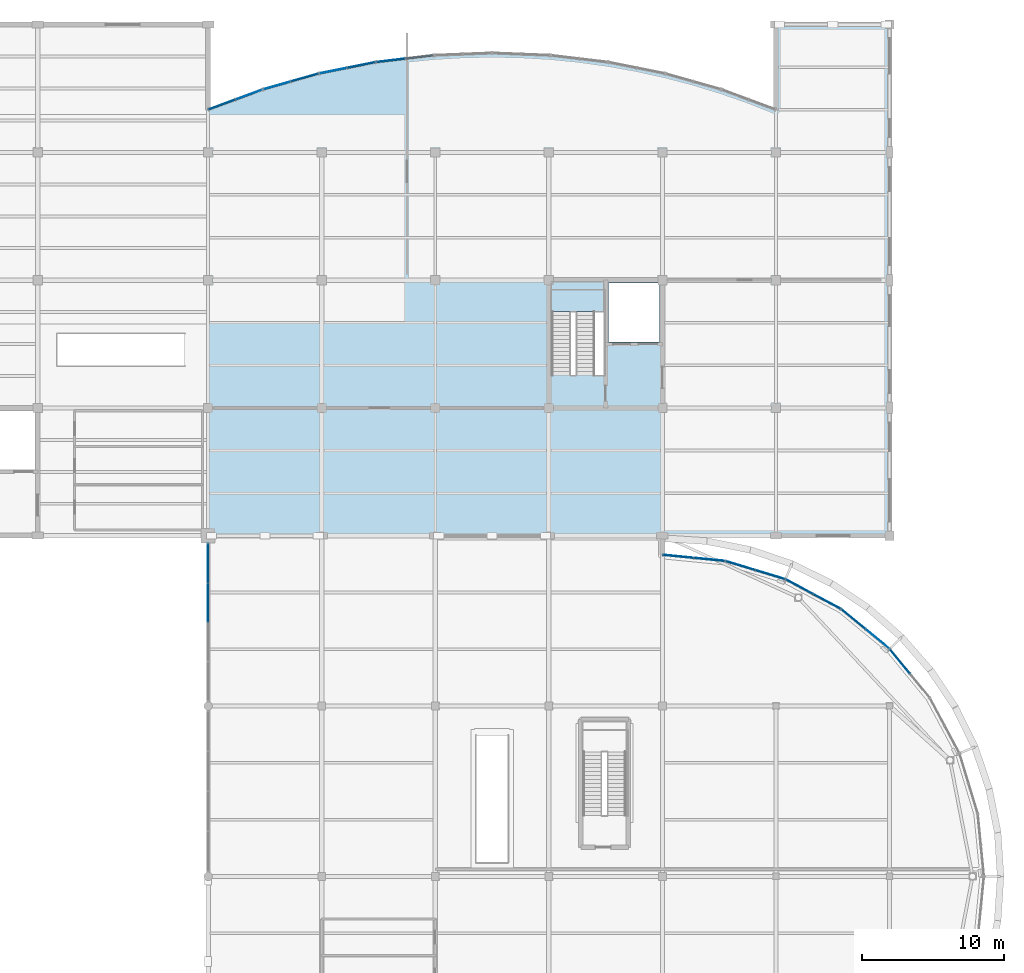
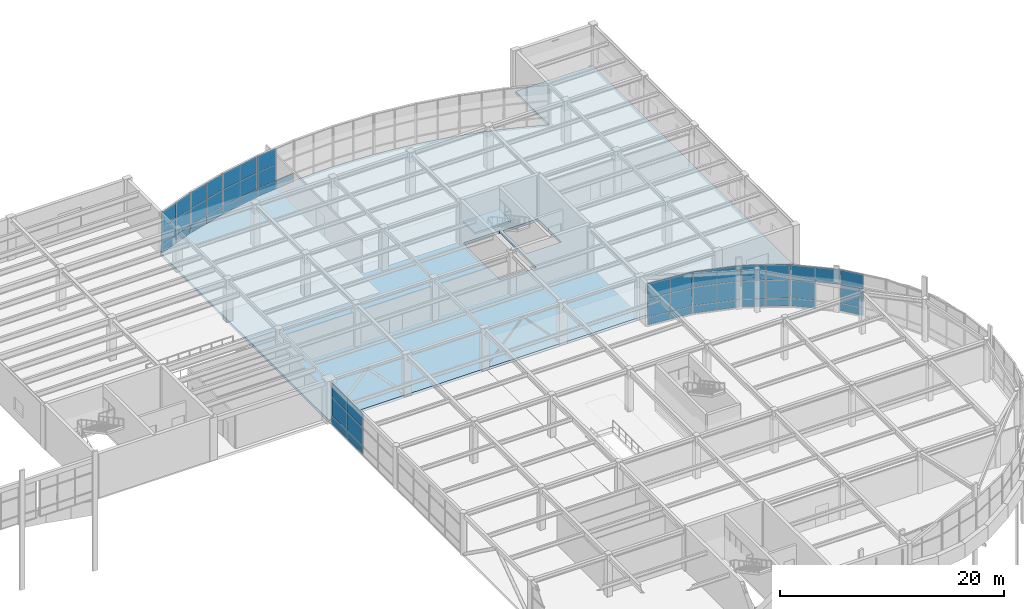
# One storey, part 40 of 63: 53 plates, 2 slabs, 11 elements without a shape of their own.
"""IFC4 building model written with IfcOpenShell, lengths in metres."""

from ifc_helpers import new_model, si_unit, direction, frame, origin, origin_2d, place, context, subcontext, project, spatial, polyline, rectangle, outline, extrude, material, layer, layer_set, type_object, element, aggregate, save


model = new_model("IFC4")

# Units and contexts
model_context = context("Model", 3, precision=1e-05, world=origin(), true_north=direction((0.0, 1.0)))
body_context = subcontext(model_context, "Body", "Model", "MODEL_VIEW")
ifc_project = project(units=[si_unit("LENGTHUNIT", "METRE"), si_unit("AREAUNIT", "SQUARE_METRE"), si_unit("VOLUMEUNIT", "CUBIC_METRE"), si_unit("PLANEANGLEUNIT", "RADIAN"), si_unit("MASSUNIT", "GRAM", prefix="KILO")], contexts=[model_context])

# Site, building, storey
site_placement = place(None, origin())
site = spatial("IfcSite", under=ifc_project, at=site_placement, CompositionType="ELEMENT")
building_placement = place(site_placement, origin())
building = spatial("IfcBuilding", under=site, at=building_placement, Name="Keelwater Ferry Terminal", CompositionType="ELEMENT")
storey_placement = place(building_placement, frame((0.0, 0.0, 10.199951171875)))
storey = spatial("IfcBuildingStorey", under=building, at=storey_placement, Name="L02", CompositionType="ELEMENT", Elevation=10.199951171875)

# Curtain wall, plates
ifc_material_1 = material(Name="Thermally broken unitised aluminium and triple glass", Category="aluminium")
ifc_layer_1 = layer(ifc_material_1, 0.179931640625)
ifc_layer_set_1 = layer_set([ifc_layer_1], Name="Thermally broken unitised aluminium and triple glass")
curtain_wall_type_1 = type_object("IfcCurtainWallType", Name="CW-14 Unitised Curtain Wall 11050x4450", PredefinedType="USERDEFINED", material=ifc_layer_set_1)
curtain_wall_1_placement = place(storey_placement, origin())
curtain_wall_1 = element("IfcCurtainWall", 1, at=curtain_wall_1_placement, inside=storey, type_object=curtain_wall_type_1, Name="Unitised Curtain Wall CW-L02-076", ObjectType="UNITISED CURTAIN WALL", PredefinedType="USERDEFINED")
ifc_material_2 = material(Name="Insulated white cassette spandrel", Category="aluminium")
ifc_layer_2 = layer(ifc_material_2, 0.094970703125)
ifc_layer_set_2 = layer_set([ifc_layer_2], Name="Insulated white cassette spandrel")
plate_type_1 = type_object("IfcPlateType", Name="CWP-S2 Insulated Spandrel Panel 95", PredefinedType="CURTAIN_PANEL", material=ifc_layer_set_2)
plate_1_placement = place(storey_placement, frame((132.0, 85.28125, 0.0), z_axis=(0.0, 0.0, 1.0), x_axis=(0.0, 1.0, 0.0)))
plate_1 = element("IfcPlate", 2, at=plate_1_placement, type_object=plate_type_1, Name="CW-L02-076 Panel 3.1", PredefinedType="CURTAIN_PANEL", context=body_context, shape_type="SweptSolid", body=[
    extrude(rectangle(XDim=2.762451171875, YDim=0.094970703125, at=origin_2d()), origin(), (0.0, 0.0, 1.0), 0.89990234375),
])
plate_2_placement = place(storey_placement, frame((132.0, 88.043701171875, 0.0), z_axis=(0.0, 0.0, 1.0), x_axis=(0.0, 1.0, 0.0)))
plate_2 = element("IfcPlate", 3, at=plate_2_placement, type_object=plate_type_1, Name="CW-L02-076 Panel 4.1", PredefinedType="CURTAIN_PANEL", context=body_context, shape_type="SweptSolid", body=[
    extrude(rectangle(XDim=2.762451171875, YDim=0.094970703125, at=origin_2d()), origin(), (0.0, 0.0, 1.0), 0.89990234375),
])

# Curtain wall, plate
ifc_material_3 = material(Name="Thermally broken unitised aluminium and triple glass", Category="aluminium")
ifc_layer_3 = layer(ifc_material_3, 0.179931640625)
ifc_layer_set_3 = layer_set([ifc_layer_3], Name="Thermally broken unitised aluminium and triple glass")
curtain_wall_type_2 = type_object("IfcCurtainWallType", Name="CW-19 Unitised Curtain Wall 4350x4480", PredefinedType="USERDEFINED", material=ifc_layer_set_3)
curtain_wall_2_placement = place(storey_placement, origin())
curtain_wall_2 = element("IfcCurtainWall", 4, at=curtain_wall_2_placement, inside=storey, type_object=curtain_wall_type_2, Name="Unitised Curtain Wall CW-L02-168", ObjectType="UNITISED CURTAIN WALL", PredefinedType="USERDEFINED")
plate_3_placement = place(storey_placement, frame((180.73486328125, 81.140380859375, 0.0), z_axis=(0.0, 0.0, 1.0), x_axis=(-0.634376508991, 0.773024220086, 0.0)))
plate_3 = element("IfcPlate", 5, at=plate_3_placement, type_object=plate_type_1, Name="CW-L02-168 Panel 2.1", PredefinedType="CURTAIN_PANEL", context=body_context, shape_type="SweptSolid", body=[
    extrude(rectangle(XDim=2.174560546875, YDim=0.094970703125, at=origin_2d()), origin(), (0.0, 0.0, 1.0), 0.85009765625),
])

curtain_wall_3_placement = place(storey_placement, origin())
curtain_wall_3 = element("IfcCurtainWall", 6, at=curtain_wall_3_placement, inside=storey, type_object=curtain_wall_type_2, Name="Unitised Curtain Wall CW-L02-169", ObjectType="UNITISED CURTAIN WALL", PredefinedType="USERDEFINED")
plate_4_placement = place(storey_placement, frame((177.45947265625, 84.1142578125, 0.0), z_axis=(0.0, 0.0, 1.0), x_axis=(-0.773024220086, 0.634376508991, 0.0)))
plate_4 = element("IfcPlate", 7, at=plate_4_placement, type_object=plate_type_1, Name="CW-L02-169 Panel 2.1", PredefinedType="CURTAIN_PANEL", context=body_context, shape_type="SweptSolid", body=[
    extrude(rectangle(XDim=2.174560546875, YDim=0.094970703125, at=origin_2d()), origin(), (0.0, 0.0, 1.0), 0.85009765625),
])

# Curtain wall, plates
curtain_wall_4_placement = place(storey_placement, origin())
curtain_wall_4 = element("IfcCurtainWall", 8, at=curtain_wall_4_placement, inside=storey, type_object=curtain_wall_type_2, Name="Unitised Curtain Wall CW-L02-170", ObjectType="UNITISED CURTAIN WALL", PredefinedType="USERDEFINED")
plate_5_placement = place(storey_placement, frame((175.5849609375, 85.36669921875, 0.0), z_axis=(0.0, 0.0, 1.0), x_axis=(-0.881862452632, 0.471506749303, 0.0)))
plate_5 = element("IfcPlate", 9, at=plate_5_placement, type_object=plate_type_1, Name="CW-L02-170 Panel 1.1", PredefinedType="CURTAIN_PANEL", context=body_context, shape_type="SweptSolid", body=[
    extrude(rectangle(XDim=2.175048828125, YDim=0.094970703125, at=origin_2d()), origin(), (0.0, 0.0, 1.0), 0.85009765625),
])
plate_6_placement = place(storey_placement, frame((173.6669921875, 86.392333984375, 0.0), z_axis=(0.0, 0.0, 1.0), x_axis=(-0.881862452632, 0.471506749303, 0.0)))
plate_6 = element("IfcPlate", 10, at=plate_6_placement, type_object=plate_type_1, Name="CW-L02-170 Panel 2.1", PredefinedType="CURTAIN_PANEL", context=body_context, shape_type="SweptSolid", body=[
    extrude(rectangle(XDim=2.175048828125, YDim=0.094970703125, at=origin_2d()), origin(), (0.0, 0.0, 1.0), 0.85009765625),
])

curtain_wall_5_placement = place(storey_placement, origin())
curtain_wall_5 = element("IfcCurtainWall", 11, at=curtain_wall_5_placement, inside=storey, type_object=curtain_wall_type_2, Name="Unitised Curtain Wall CW-L02-171", ObjectType="UNITISED CURTAIN WALL", PredefinedType="USERDEFINED")
plate_7_placement = place(storey_placement, frame((171.584228515625, 87.254638671875, 0.0), z_axis=(0.0, 0.0, 1.0), x_axis=(-0.956929623319, 0.290319989003, 0.0)))
plate_7 = element("IfcPlate", 12, at=plate_7_placement, type_object=plate_type_1, Name="CW-L02-171 Panel 1.1", PredefinedType="CURTAIN_PANEL", context=body_context, shape_type="SweptSolid", body=[
    extrude(rectangle(XDim=2.17529296875, YDim=0.094970703125, at=origin_2d()), origin(), (0.0, 0.0, 1.0), 0.85009765625),
])
plate_8_placement = place(storey_placement, frame((169.502685546875, 87.88623046875, 0.0), z_axis=(0.0, 0.0, 1.0), x_axis=(-0.956929623319, 0.290319989003, 0.0)))
plate_8 = element("IfcPlate", 13, at=plate_8_placement, type_object=plate_type_1, Name="CW-L02-171 Panel 2.1", PredefinedType="CURTAIN_PANEL", context=body_context, shape_type="SweptSolid", body=[
    extrude(rectangle(XDim=2.17529296875, YDim=0.094970703125, at=origin_2d()), origin(), (0.0, 0.0, 1.0), 0.85009765625),
])

curtain_wall_6_placement = place(storey_placement, origin())
curtain_wall_6 = element("IfcCurtainWall", 14, at=curtain_wall_6_placement, inside=storey, type_object=curtain_wall_type_2, Name="Unitised Curtain Wall CW-L02-172", ObjectType="UNITISED CURTAIN WALL", PredefinedType="USERDEFINED")
plate_9_placement = place(storey_placement, frame((167.291748046875, 88.32568359375, 0.0), z_axis=(0.0, 0.0, 1.0), x_axis=(-0.995170573079, 0.098160737969, 0.0)))
plate_9 = element("IfcPlate", 15, at=plate_9_placement, type_object=plate_type_1, Name="CW-L02-172 Panel 1.1", PredefinedType="CURTAIN_PANEL", context=body_context, shape_type="SweptSolid", body=[
    extrude(rectangle(XDim=2.175048828125, YDim=0.094970703125, at=origin_2d()), origin(), (0.0, 0.0, 1.0), 0.85009765625),
])
plate_10_placement = place(storey_placement, frame((165.127197265625, 88.539306640625, 0.0), z_axis=(0.0, 0.0, 1.0), x_axis=(-0.995170573079, 0.098160737969, 0.0)))
plate_10 = element("IfcPlate", 16, at=plate_10_placement, type_object=plate_type_1, Name="CW-L02-172 Panel 2.1", PredefinedType="CURTAIN_PANEL", context=body_context, shape_type="SweptSolid", body=[
    extrude(rectangle(XDim=2.175048828125, YDim=0.094970703125, at=origin_2d()), origin(), (0.0, 0.0, 1.0), 0.85009765625),
])

ifc_material_4 = material(Name="Thermally broken unitised aluminium and triple glass", Category="aluminium")
ifc_layer_4 = layer(ifc_material_4, 0.179931640625)
ifc_layer_set_4 = layer_set([ifc_layer_4], Name="Thermally broken unitised aluminium and triple glass")
curtain_wall_type_3 = type_object("IfcCurtainWallType", Name="CW-21 Unitised Curtain Wall 4015x4400", PredefinedType="USERDEFINED", material=ifc_layer_set_4)
curtain_wall_7_placement = place(storey_placement, origin())
curtain_wall_7 = element("IfcCurtainWall", 17, at=curtain_wall_7_placement, inside=storey, type_object=curtain_wall_type_3, Name="Unitised Curtain Wall CW-L02-199", ObjectType="UNITISED CURTAIN WALL", PredefinedType="USERDEFINED")
ifc_material_5 = material(Name="Insulated terracotta shadow-box spandrel", Category="masonry")
ifc_layer_5 = layer(ifc_material_5, 0.110107421875)
ifc_layer_set_5 = layer_set([ifc_layer_5], Name="Insulated terracotta shadow-box spandrel")
plate_type_2 = type_object("IfcPlateType", Name="CWP-S3 Insulated Spandrel Panel 110", PredefinedType="CURTAIN_PANEL", material=ifc_layer_set_5)
plate_11_placement = place(storey_placement, frame((146.8564453125, 123.71435546875, 0.0), z_axis=(0.0, 0.0, 1.0), x_axis=(-0.992974342459, -0.118329857676, 0.0)))
plate_11 = element("IfcPlate", 18, at=plate_11_placement, type_object=plate_type_2, Name="CW-L02-199 Panel 1.1", PredefinedType="CURTAIN_PANEL", context=body_context, shape_type="SweptSolid", body=[
    extrude(rectangle(XDim=2.007080078125, YDim=0.110107421875, at=origin_2d()), origin(), (0.0, 0.0, 1.0), 0.85009765625),
])
plate_12_placement = place(storey_placement, frame((144.863525390625, 123.476806640625, 0.0), z_axis=(0.0, 0.0, 1.0), x_axis=(-0.992974342459, -0.118329857676, 0.0)))
plate_12 = element("IfcPlate", 19, at=plate_12_placement, type_object=plate_type_2, Name="CW-L02-199 Panel 2.1", PredefinedType="CURTAIN_PANEL", context=body_context, shape_type="SweptSolid", body=[
    extrude(rectangle(XDim=2.007080078125, YDim=0.110107421875, at=origin_2d()), origin(), (0.0, 0.0, 1.0), 0.85009765625),
])

curtain_wall_8_placement = place(storey_placement, origin())
curtain_wall_8 = element("IfcCurtainWall", 20, at=curtain_wall_8_placement, inside=storey, type_object=curtain_wall_type_3, Name="Unitised Curtain Wall CW-L02-200", ObjectType="UNITISED CURTAIN WALL", PredefinedType="USERDEFINED")
plate_13_placement = place(storey_placement, frame((142.793701171875, 123.147216796875, 0.0), z_axis=(0.0, 0.0, 1.0), x_axis=(-0.98059983046, -0.196020336958, 0.0)))
plate_13 = element("IfcPlate", 21, at=plate_13_placement, type_object=plate_type_2, Name="CW-L02-200 Panel 1.1", PredefinedType="CURTAIN_PANEL", context=body_context, shape_type="SweptSolid", body=[
    extrude(rectangle(XDim=2.00732421875, YDim=0.110107421875, at=origin_2d()), origin(), (0.0, 0.0, 1.0), 0.85009765625),
])
plate_14_placement = place(storey_placement, frame((140.8251953125, 122.753662109375, 0.0), z_axis=(0.0, 0.0, 1.0), x_axis=(-0.98059983046, -0.196020336958, 0.0)))
plate_14 = element("IfcPlate", 22, at=plate_14_placement, type_object=plate_type_2, Name="CW-L02-200 Panel 2.1", PredefinedType="CURTAIN_PANEL", context=body_context, shape_type="SweptSolid", body=[
    extrude(rectangle(XDim=2.00732421875, YDim=0.110107421875, at=origin_2d()), origin(), (0.0, 0.0, 1.0), 0.85009765625),
])

curtain_wall_9_placement = place(storey_placement, origin())
curtain_wall_9 = element("IfcCurtainWall", 23, at=curtain_wall_9_placement, inside=storey, type_object=curtain_wall_type_3, Name="Unitised Curtain Wall CW-L02-201", ObjectType="UNITISED CURTAIN WALL", PredefinedType="USERDEFINED")
plate_15_placement = place(storey_placement, frame((138.788330078125, 122.261962890625, 0.0), z_axis=(0.0, 0.0, 1.0), x_axis=(-0.962029778706, -0.272944508797, 0.0)))
plate_15 = element("IfcPlate", 24, at=plate_15_placement, type_object=plate_type_2, Name="CW-L02-201 Panel 1.1", PredefinedType="CURTAIN_PANEL", context=body_context, shape_type="SweptSolid", body=[
    extrude(rectangle(XDim=2.0078125, YDim=0.110107421875, at=origin_2d()), origin(), (0.0, 0.0, 1.0), 0.85009765625),
])
plate_16_placement = place(storey_placement, frame((136.856689453125, 121.714111328125, 0.0), z_axis=(0.0, 0.0, 1.0), x_axis=(-0.962029778706, -0.272944508797, 0.0)))
plate_16 = element("IfcPlate", 25, at=plate_16_placement, type_object=plate_type_2, Name="CW-L02-201 Panel 2.1", PredefinedType="CURTAIN_PANEL", context=body_context, shape_type="SweptSolid", body=[
    extrude(rectangle(XDim=2.0078125, YDim=0.110107421875, at=origin_2d()), origin(), (0.0, 0.0, 1.0), 0.85009765625),
])

curtain_wall_10_placement = place(storey_placement, origin())
curtain_wall_10 = element("IfcCurtainWall", 26, at=curtain_wall_10_placement, inside=storey, type_object=curtain_wall_type_3, Name="Unitised Curtain Wall CW-L02-202", ObjectType="UNITISED CURTAIN WALL", PredefinedType="USERDEFINED")
plate_17_placement = place(storey_placement, frame((134.864990234375, 121.06298828125, 0.0), z_axis=(0.0, 0.0, 1.0), x_axis=(-0.937592418253, -0.347736189136, 0.0)))
plate_17 = element("IfcPlate", 27, at=plate_17_placement, type_object=plate_type_2, Name="CW-L02-202 Panel 1.1", PredefinedType="CURTAIN_PANEL", context=body_context, shape_type="SweptSolid", body=[
    extrude(rectangle(XDim=2.00732421875, YDim=0.110107421875, at=origin_2d()), origin(), (0.0, 0.0, 1.0), 0.85009765625),
])
plate_18_placement = place(storey_placement, frame((132.98291015625, 120.364990234375, 0.0), z_axis=(0.0, 0.0, 1.0), x_axis=(-0.937592418253, -0.347736189136, 0.0)))
plate_18 = element("IfcPlate", 28, at=plate_18_placement, type_object=plate_type_2, Name="CW-L02-202 Panel 2.1", PredefinedType="CURTAIN_PANEL", context=body_context, shape_type="SweptSolid", body=[
    extrude(rectangle(XDim=2.00732421875, YDim=0.110107421875, at=origin_2d()), origin(), (0.0, 0.0, 1.0), 0.85009765625),
])

# Plate
ifc_material_6 = material(Name="Triple low-E laminated glass", Category="glass")
ifc_layer_6 = layer(ifc_material_6, 0.035888671875)
ifc_layer_set_6 = layer_set([ifc_layer_6], Name="Triple low-E laminated glass")
plate_type_3 = type_object("IfcPlateType", Name="CWP-V1 Glazed Vision Panel 36", PredefinedType="CURTAIN_PANEL", material=ifc_layer_set_6)
plate_19_placement = place(storey_placement, frame((144.863525390625, 123.476806640625, 0.85009765625), z_axis=(0.0, 0.0, 1.0), x_axis=(-0.992974342459, -0.118329857676, 0.0)))
plate_19 = element("IfcPlate", 29, at=plate_19_placement, type_object=plate_type_3, Name="CW-L02-199 Panel 2.2", PredefinedType="CURTAIN_PANEL", context=body_context, shape_type="SweptSolid", body=[
    extrude(rectangle(XDim=2.007080078125, YDim=0.035888671875, at=origin_2d()), origin(), (0.0, 0.0, 1.0), 1.800048828125),
])

plate_20_placement = place(storey_placement, frame((144.863525390625, 123.476806640625, 2.650146484375), z_axis=(0.0, 0.0, 1.0), x_axis=(-0.992974342459, -0.118329857676, 0.0)))
plate_20 = element("IfcPlate", 30, at=plate_20_placement, type_object=plate_type_3, Name="CW-L02-199 Panel 2.3", PredefinedType="CURTAIN_PANEL", context=body_context, shape_type="SweptSolid", body=[
    extrude(rectangle(XDim=2.007080078125, YDim=0.035888671875, at=origin_2d()), origin(), (0.0, 0.0, 1.0), 1.75),
])

aggregate(curtain_wall_7, [plate_11, plate_12, plate_19, plate_20])

plate_21_placement = place(storey_placement, frame((142.793701171875, 123.147216796875, 0.85009765625), z_axis=(0.0, 0.0, 1.0), x_axis=(-0.98059983046, -0.196020336958, 0.0)))
plate_21 = element("IfcPlate", 31, at=plate_21_placement, type_object=plate_type_3, Name="CW-L02-200 Panel 1.2", PredefinedType="CURTAIN_PANEL", context=body_context, shape_type="SweptSolid", body=[
    extrude(rectangle(XDim=2.00732421875, YDim=0.035888671875, at=origin_2d()), origin(), (0.0, 0.0, 1.0), 1.800048828125),
])

plate_22_placement = place(storey_placement, frame((142.793701171875, 123.147216796875, 2.650146484375), z_axis=(0.0, 0.0, 1.0), x_axis=(-0.98059983046, -0.196020336958, 0.0)))
plate_22 = element("IfcPlate", 32, at=plate_22_placement, type_object=plate_type_3, Name="CW-L02-200 Panel 1.3", PredefinedType="CURTAIN_PANEL", context=body_context, shape_type="SweptSolid", body=[
    extrude(rectangle(XDim=2.00732421875, YDim=0.035888671875, at=origin_2d()), origin(), (0.0, 0.0, 1.0), 1.75),
])

plate_23_placement = place(storey_placement, frame((140.8251953125, 122.753662109375, 0.85009765625), z_axis=(0.0, 0.0, 1.0), x_axis=(-0.98059983046, -0.196020336958, 0.0)))
plate_23 = element("IfcPlate", 33, at=plate_23_placement, type_object=plate_type_3, Name="CW-L02-200 Panel 2.2", PredefinedType="CURTAIN_PANEL", context=body_context, shape_type="SweptSolid", body=[
    extrude(rectangle(XDim=2.00732421875, YDim=0.035888671875, at=origin_2d()), origin(), (0.0, 0.0, 1.0), 1.800048828125),
])

plate_24_placement = place(storey_placement, frame((140.8251953125, 122.753662109375, 2.650146484375), z_axis=(0.0, 0.0, 1.0), x_axis=(-0.98059983046, -0.196020336958, 0.0)))
plate_24 = element("IfcPlate", 34, at=plate_24_placement, type_object=plate_type_3, Name="CW-L02-200 Panel 2.3", PredefinedType="CURTAIN_PANEL", context=body_context, shape_type="SweptSolid", body=[
    extrude(rectangle(XDim=2.00732421875, YDim=0.035888671875, at=origin_2d()), origin(), (0.0, 0.0, 1.0), 1.75),
])

aggregate(curtain_wall_8, [plate_13, plate_21, plate_22, plate_14, plate_23, plate_24])

plate_25_placement = place(storey_placement, frame((138.788330078125, 122.261962890625, 0.85009765625), z_axis=(0.0, 0.0, 1.0), x_axis=(-0.962029778706, -0.272944508797, 0.0)))
plate_25 = element("IfcPlate", 35, at=plate_25_placement, type_object=plate_type_3, Name="CW-L02-201 Panel 1.2", PredefinedType="CURTAIN_PANEL", context=body_context, shape_type="SweptSolid", body=[
    extrude(rectangle(XDim=2.0078125, YDim=0.035888671875, at=origin_2d()), origin(), (0.0, 0.0, 1.0), 1.800048828125),
])

plate_26_placement = place(storey_placement, frame((138.788330078125, 122.261962890625, 2.650146484375), z_axis=(0.0, 0.0, 1.0), x_axis=(-0.962029778706, -0.272944508797, 0.0)))
plate_26 = element("IfcPlate", 36, at=plate_26_placement, type_object=plate_type_3, Name="CW-L02-201 Panel 1.3", PredefinedType="CURTAIN_PANEL", context=body_context, shape_type="SweptSolid", body=[
    extrude(rectangle(XDim=2.0078125, YDim=0.035888671875, at=origin_2d()), origin(), (0.0, 0.0, 1.0), 1.75),
])

plate_27_placement = place(storey_placement, frame((136.856689453125, 121.714111328125, 0.85009765625), z_axis=(0.0, 0.0, 1.0), x_axis=(-0.962029778706, -0.272944508797, 0.0)))
plate_27 = element("IfcPlate", 37, at=plate_27_placement, type_object=plate_type_3, Name="CW-L02-201 Panel 2.2", PredefinedType="CURTAIN_PANEL", context=body_context, shape_type="SweptSolid", body=[
    extrude(rectangle(XDim=2.0078125, YDim=0.035888671875, at=origin_2d()), origin(), (0.0, 0.0, 1.0), 1.800048828125),
])

plate_28_placement = place(storey_placement, frame((136.856689453125, 121.714111328125, 2.650146484375), z_axis=(0.0, 0.0, 1.0), x_axis=(-0.962029778706, -0.272944508797, 0.0)))
plate_28 = element("IfcPlate", 38, at=plate_28_placement, type_object=plate_type_3, Name="CW-L02-201 Panel 2.3", PredefinedType="CURTAIN_PANEL", context=body_context, shape_type="SweptSolid", body=[
    extrude(rectangle(XDim=2.0078125, YDim=0.035888671875, at=origin_2d()), origin(), (0.0, 0.0, 1.0), 1.75),
])

aggregate(curtain_wall_9, [plate_15, plate_25, plate_26, plate_16, plate_27, plate_28])

plate_29_placement = place(storey_placement, frame((134.864990234375, 121.06298828125, 0.85009765625), z_axis=(0.0, 0.0, 1.0), x_axis=(-0.937592418253, -0.347736189136, 0.0)))
plate_29 = element("IfcPlate", 39, at=plate_29_placement, type_object=plate_type_3, Name="CW-L02-202 Panel 1.2", PredefinedType="CURTAIN_PANEL", context=body_context, shape_type="SweptSolid", body=[
    extrude(rectangle(XDim=2.00732421875, YDim=0.035888671875, at=origin_2d()), origin(), (0.0, 0.0, 1.0), 1.800048828125),
])

plate_30_placement = place(storey_placement, frame((134.864990234375, 121.06298828125, 2.650146484375), z_axis=(0.0, 0.0, 1.0), x_axis=(-0.937592418253, -0.347736189136, 0.0)))
plate_30 = element("IfcPlate", 40, at=plate_30_placement, type_object=plate_type_3, Name="CW-L02-202 Panel 1.3", PredefinedType="CURTAIN_PANEL", context=body_context, shape_type="SweptSolid", body=[
    extrude(rectangle(XDim=2.00732421875, YDim=0.035888671875, at=origin_2d()), origin(), (0.0, 0.0, 1.0), 1.75),
])

plate_31_placement = place(storey_placement, frame((132.98291015625, 120.364990234375, 0.85009765625), z_axis=(0.0, 0.0, 1.0), x_axis=(-0.937592418253, -0.347736189136, 0.0)))
plate_31 = element("IfcPlate", 41, at=plate_31_placement, type_object=plate_type_3, Name="CW-L02-202 Panel 2.2", PredefinedType="CURTAIN_PANEL", context=body_context, shape_type="SweptSolid", body=[
    extrude(rectangle(XDim=2.00732421875, YDim=0.035888671875, at=origin_2d()), origin(), (0.0, 0.0, 1.0), 1.800048828125),
])

plate_32_placement = place(storey_placement, frame((132.98291015625, 120.364990234375, 2.650146484375), z_axis=(0.0, 0.0, 1.0), x_axis=(-0.937592418253, -0.347736189136, 0.0)))
plate_32 = element("IfcPlate", 42, at=plate_32_placement, type_object=plate_type_3, Name="CW-L02-202 Panel 2.3", PredefinedType="CURTAIN_PANEL", context=body_context, shape_type="SweptSolid", body=[
    extrude(rectangle(XDim=2.00732421875, YDim=0.035888671875, at=origin_2d()), origin(), (0.0, 0.0, 1.0), 1.75),
])

aggregate(curtain_wall_10, [plate_17, plate_29, plate_30, plate_18, plate_31, plate_32])

ifc_material_7 = material(Name="Triple solar-control glass", Category="glass")
ifc_layer_7 = layer(ifc_material_7, 0.0419921875)
ifc_layer_set_7 = layer_set([ifc_layer_7], Name="Triple solar-control glass")
plate_type_4 = type_object("IfcPlateType", Name="CWP-V2 Glazed Vision Panel 42", PredefinedType="CURTAIN_PANEL", material=ifc_layer_set_7)
plate_33_placement = place(storey_placement, frame((132.0, 85.28125, 0.900146484375), z_axis=(0.0, 0.0, 1.0), x_axis=(0.0, 1.0, 0.0)))
plate_33 = element("IfcPlate", 43, at=plate_33_placement, type_object=plate_type_4, Name="CW-L02-076 Panel 3.2", PredefinedType="CURTAIN_PANEL", context=body_context, shape_type="SweptSolid", body=[
    extrude(rectangle(XDim=2.762451171875, YDim=0.0419921875, at=origin_2d()), origin(), (0.0, 0.0, 1.0), 2.0),
])

plate_34_placement = place(storey_placement, frame((132.0, 85.28125, 2.89990234375), z_axis=(0.0, 0.0, 1.0), x_axis=(0.0, 1.0, 0.0)))
plate_34 = element("IfcPlate", 44, at=plate_34_placement, type_object=plate_type_4, Name="CW-L02-076 Panel 3.3", PredefinedType="CURTAIN_PANEL", context=body_context, shape_type="SweptSolid", body=[
    extrude(rectangle(XDim=2.762451171875, YDim=0.0419921875, at=origin_2d()), origin(), (0.0, 0.0, 1.0), 1.550048828125),
])

plate_35_placement = place(storey_placement, frame((132.0, 88.043701171875, 0.900146484375), z_axis=(0.0, 0.0, 1.0), x_axis=(0.0, 1.0, 0.0)))
plate_35 = element("IfcPlate", 45, at=plate_35_placement, type_object=plate_type_4, Name="CW-L02-076 Panel 4.2", PredefinedType="CURTAIN_PANEL", context=body_context, shape_type="SweptSolid", body=[
    extrude(rectangle(XDim=2.762451171875, YDim=0.0419921875, at=origin_2d()), origin(), (0.0, 0.0, 1.0), 2.0),
])

plate_36_placement = place(storey_placement, frame((132.0, 88.043701171875, 2.89990234375), z_axis=(0.0, 0.0, 1.0), x_axis=(0.0, 1.0, 0.0)))
plate_36 = element("IfcPlate", 46, at=plate_36_placement, type_object=plate_type_4, Name="CW-L02-076 Panel 4.3", PredefinedType="CURTAIN_PANEL", context=body_context, shape_type="SweptSolid", body=[
    extrude(rectangle(XDim=2.762451171875, YDim=0.0419921875, at=origin_2d()), origin(), (0.0, 0.0, 1.0), 1.550048828125),
])

aggregate(curtain_wall_1, [plate_1, plate_33, plate_34, plate_2, plate_35, plate_36])

plate_37_placement = place(storey_placement, frame((180.73486328125, 81.140380859375, 0.85009765625), z_axis=(0.0, 0.0, 1.0), x_axis=(-0.634376508991, 0.773024220086, 0.0)))
plate_37 = element("IfcPlate", 47, at=plate_37_placement, type_object=plate_type_4, Name="CW-L02-168 Panel 2.2", PredefinedType="CURTAIN_PANEL", context=body_context, shape_type="SweptSolid", body=[
    extrude(rectangle(XDim=2.174560546875, YDim=0.0419921875, at=origin_2d()), origin(), (0.0, 0.0, 1.0), 2.0),
])

plate_38_placement = place(storey_placement, frame((180.73486328125, 81.140380859375, 2.85009765625), z_axis=(0.0, 0.0, 1.0), x_axis=(-0.634376508991, 0.773024220086, 0.0)))
plate_38 = element("IfcPlate", 48, at=plate_38_placement, type_object=plate_type_4, Name="CW-L02-168 Panel 2.3", PredefinedType="CURTAIN_PANEL", context=body_context, shape_type="SweptSolid", body=[
    extrude(rectangle(XDim=2.174560546875, YDim=0.0419921875, at=origin_2d()), origin(), (0.0, 0.0, 1.0), 1.6298828125),
])

aggregate(curtain_wall_2, [plate_3, plate_37, plate_38])

plate_39_placement = place(storey_placement, frame((179.140380859375, 82.73486328125, 2.85009765625), z_axis=(0.0, 0.0, 1.0), x_axis=(-0.773024220086, 0.634376508991, 0.0)))
plate_39 = element("IfcPlate", 49, at=plate_39_placement, type_object=plate_type_4, Name="CW-L02-169 Panel 1.3", PredefinedType="CURTAIN_PANEL", context=body_context, shape_type="SweptSolid", body=[
    extrude(rectangle(XDim=2.174560546875, YDim=0.0419921875, at=origin_2d()), origin(), (0.0, 0.0, 1.0), 1.6298828125),
])

plate_40_placement = place(storey_placement, frame((177.45947265625, 84.1142578125, 0.85009765625), z_axis=(0.0, 0.0, 1.0), x_axis=(-0.773024220086, 0.634376508991, 0.0)))
plate_40 = element("IfcPlate", 50, at=plate_40_placement, type_object=plate_type_4, Name="CW-L02-169 Panel 2.2", PredefinedType="CURTAIN_PANEL", context=body_context, shape_type="SweptSolid", body=[
    extrude(rectangle(XDim=2.174560546875, YDim=0.0419921875, at=origin_2d()), origin(), (0.0, 0.0, 1.0), 2.0),
])

plate_41_placement = place(storey_placement, frame((177.45947265625, 84.1142578125, 2.85009765625), z_axis=(0.0, 0.0, 1.0), x_axis=(-0.773024220086, 0.634376508991, 0.0)))
plate_41 = element("IfcPlate", 51, at=plate_41_placement, type_object=plate_type_4, Name="CW-L02-169 Panel 2.3", PredefinedType="CURTAIN_PANEL", context=body_context, shape_type="SweptSolid", body=[
    extrude(rectangle(XDim=2.174560546875, YDim=0.0419921875, at=origin_2d()), origin(), (0.0, 0.0, 1.0), 1.6298828125),
])

aggregate(curtain_wall_3, [plate_39, plate_4, plate_40, plate_41])

plate_42_placement = place(storey_placement, frame((175.5849609375, 85.36669921875, 0.85009765625), z_axis=(0.0, 0.0, 1.0), x_axis=(-0.881862452632, 0.471506749303, 0.0)))
plate_42 = element("IfcPlate", 52, at=plate_42_placement, type_object=plate_type_4, Name="CW-L02-170 Panel 1.2", PredefinedType="CURTAIN_PANEL", context=body_context, shape_type="SweptSolid", body=[
    extrude(rectangle(XDim=2.175048828125, YDim=0.0419921875, at=origin_2d()), origin(), (0.0, 0.0, 1.0), 2.0),
])

plate_43_placement = place(storey_placement, frame((175.5849609375, 85.36669921875, 2.85009765625), z_axis=(0.0, 0.0, 1.0), x_axis=(-0.881862452632, 0.471506749303, 0.0)))
plate_43 = element("IfcPlate", 53, at=plate_43_placement, type_object=plate_type_4, Name="CW-L02-170 Panel 1.3", PredefinedType="CURTAIN_PANEL", context=body_context, shape_type="SweptSolid", body=[
    extrude(rectangle(XDim=2.175048828125, YDim=0.0419921875, at=origin_2d()), origin(), (0.0, 0.0, 1.0), 1.6298828125),
])

plate_44_placement = place(storey_placement, frame((173.6669921875, 86.392333984375, 0.85009765625), z_axis=(0.0, 0.0, 1.0), x_axis=(-0.881862452632, 0.471506749303, 0.0)))
plate_44 = element("IfcPlate", 54, at=plate_44_placement, type_object=plate_type_4, Name="CW-L02-170 Panel 2.2", PredefinedType="CURTAIN_PANEL", context=body_context, shape_type="SweptSolid", body=[
    extrude(rectangle(XDim=2.175048828125, YDim=0.0419921875, at=origin_2d()), origin(), (0.0, 0.0, 1.0), 2.0),
])

plate_45_placement = place(storey_placement, frame((173.6669921875, 86.392333984375, 2.85009765625), z_axis=(0.0, 0.0, 1.0), x_axis=(-0.881862452632, 0.471506749303, 0.0)))
plate_45 = element("IfcPlate", 55, at=plate_45_placement, type_object=plate_type_4, Name="CW-L02-170 Panel 2.3", PredefinedType="CURTAIN_PANEL", context=body_context, shape_type="SweptSolid", body=[
    extrude(rectangle(XDim=2.175048828125, YDim=0.0419921875, at=origin_2d()), origin(), (0.0, 0.0, 1.0), 1.6298828125),
])

aggregate(curtain_wall_4, [plate_5, plate_42, plate_43, plate_6, plate_44, plate_45])

plate_46_placement = place(storey_placement, frame((171.584228515625, 87.254638671875, 0.85009765625), z_axis=(0.0, 0.0, 1.0), x_axis=(-0.956929623319, 0.290319989003, 0.0)))
plate_46 = element("IfcPlate", 56, at=plate_46_placement, type_object=plate_type_4, Name="CW-L02-171 Panel 1.2", PredefinedType="CURTAIN_PANEL", context=body_context, shape_type="SweptSolid", body=[
    extrude(rectangle(XDim=2.17529296875, YDim=0.0419921875, at=origin_2d()), origin(), (0.0, 0.0, 1.0), 2.0),
])

plate_47_placement = place(storey_placement, frame((171.584228515625, 87.254638671875, 2.85009765625), z_axis=(0.0, 0.0, 1.0), x_axis=(-0.956929623319, 0.290319989003, 0.0)))
plate_47 = element("IfcPlate", 57, at=plate_47_placement, type_object=plate_type_4, Name="CW-L02-171 Panel 1.3", PredefinedType="CURTAIN_PANEL", context=body_context, shape_type="SweptSolid", body=[
    extrude(rectangle(XDim=2.17529296875, YDim=0.0419921875, at=origin_2d()), origin(), (0.0, 0.0, 1.0), 1.6298828125),
])

plate_48_placement = place(storey_placement, frame((169.502685546875, 87.88623046875, 0.85009765625), z_axis=(0.0, 0.0, 1.0), x_axis=(-0.956929623319, 0.290319989003, 0.0)))
plate_48 = element("IfcPlate", 58, at=plate_48_placement, type_object=plate_type_4, Name="CW-L02-171 Panel 2.2", PredefinedType="CURTAIN_PANEL", context=body_context, shape_type="SweptSolid", body=[
    extrude(rectangle(XDim=2.17529296875, YDim=0.0419921875, at=origin_2d()), origin(), (0.0, 0.0, 1.0), 2.0),
])

plate_49_placement = place(storey_placement, frame((169.502685546875, 87.88623046875, 2.85009765625), z_axis=(0.0, 0.0, 1.0), x_axis=(-0.956929623319, 0.290319989003, 0.0)))
plate_49 = element("IfcPlate", 59, at=plate_49_placement, type_object=plate_type_4, Name="CW-L02-171 Panel 2.3", PredefinedType="CURTAIN_PANEL", context=body_context, shape_type="SweptSolid", body=[
    extrude(rectangle(XDim=2.17529296875, YDim=0.0419921875, at=origin_2d()), origin(), (0.0, 0.0, 1.0), 1.6298828125),
])

aggregate(curtain_wall_5, [plate_7, plate_46, plate_47, plate_8, plate_48, plate_49])

plate_50_placement = place(storey_placement, frame((167.291748046875, 88.32568359375, 0.85009765625), z_axis=(0.0, 0.0, 1.0), x_axis=(-0.995170573079, 0.098160737969, 0.0)))
plate_50 = element("IfcPlate", 60, at=plate_50_placement, type_object=plate_type_4, Name="CW-L02-172 Panel 1.2", PredefinedType="CURTAIN_PANEL", context=body_context, shape_type="SweptSolid", body=[
    extrude(rectangle(XDim=2.175048828125, YDim=0.0419921875, at=origin_2d()), origin(), (0.0, 0.0, 1.0), 2.0),
])

plate_51_placement = place(storey_placement, frame((167.291748046875, 88.32568359375, 2.85009765625), z_axis=(0.0, 0.0, 1.0), x_axis=(-0.995170573079, 0.098160737969, 0.0)))
plate_51 = element("IfcPlate", 61, at=plate_51_placement, type_object=plate_type_4, Name="CW-L02-172 Panel 1.3", PredefinedType="CURTAIN_PANEL", context=body_context, shape_type="SweptSolid", body=[
    extrude(rectangle(XDim=2.175048828125, YDim=0.0419921875, at=origin_2d()), origin(), (0.0, 0.0, 1.0), 1.6298828125),
])

plate_52_placement = place(storey_placement, frame((165.127197265625, 88.539306640625, 0.85009765625), z_axis=(0.0, 0.0, 1.0), x_axis=(-0.995170573079, 0.098160737969, 0.0)))
plate_52 = element("IfcPlate", 62, at=plate_52_placement, type_object=plate_type_4, Name="CW-L02-172 Panel 2.2", PredefinedType="CURTAIN_PANEL", context=body_context, shape_type="SweptSolid", body=[
    extrude(rectangle(XDim=2.175048828125, YDim=0.0419921875, at=origin_2d()), origin(), (0.0, 0.0, 1.0), 2.0),
])

plate_53_placement = place(storey_placement, frame((165.127197265625, 88.539306640625, 2.85009765625), z_axis=(0.0, 0.0, 1.0), x_axis=(-0.995170573079, 0.098160737969, 0.0)))
plate_53 = element("IfcPlate", 63, at=plate_53_placement, type_object=plate_type_4, Name="CW-L02-172 Panel 2.3", PredefinedType="CURTAIN_PANEL", context=body_context, shape_type="SweptSolid", body=[
    extrude(rectangle(XDim=2.175048828125, YDim=0.0419921875, at=origin_2d()), origin(), (0.0, 0.0, 1.0), 1.6298828125),
])

aggregate(curtain_wall_6, [plate_9, plate_50, plate_51, plate_10, plate_52, plate_53])

# Slab
ifc_material_8 = material(Name="Concrete C40/50", Category="concrete")
ifc_layer_8 = layer(ifc_material_8, 0.280029296875)
ifc_layer_set_8 = layer_set([ifc_layer_8], Name="Concrete C40/50")
slab_type_1 = type_object("IfcSlabType", Name="SL-F280 Suspended Floor Slab 280", PredefinedType="FLOOR", material=ifc_layer_set_8)
slab_1_placement = place(storey_placement, frame((0.0, 0.0, -0.280029296875)))
element("IfcSlab", 64, at=slab_1_placement, inside=storey, type_object=slab_type_1, Name="V5 East Level L02 Floor Slab SL-L02-045", PredefinedType="FLOOR", context=body_context, shape_type="SweptSolid", body=[
    extrude(outline(polyline([(132.0, 90.0), (180.0, 90.0), (180.0, 126.0), (172.0, 126.0), (172.0, 120.0), (170.090087890625, 120.751953125), (168.152099609375, 121.427978515625), (166.18798828125, 122.027099609375), (164.202880859375, 122.548095703125), (162.197998046875, 122.989990234375), (160.177978515625, 123.35302734375), (158.14404296875, 123.635986328125), (156.10205078125, 123.837890625), (154.052001953125, 123.958984375), (152.0, 124.0), (149.947998046875, 123.958984375), (147.89794921875, 123.837890625), (145.85595703125, 123.635986328125), (143.822021484375, 123.35302734375), (141.802001953125, 122.989990234375), (139.797119140625, 122.548095703125), (137.81201171875, 122.027099609375), (135.847900390625, 121.427978515625), (133.909912109375, 120.751953125), (132.0, 120.0), (132.0, 90.0)]), holes=[polyline([(156.14990234375, 101.320068359375), (159.89990234375, 101.320068359375), (159.89990234375, 107.89990234375), (156.14990234375, 107.89990234375), (156.14990234375, 101.320068359375)]), polyline([(160.199951171875, 103.64990234375), (163.800048828125, 103.64990234375), (163.800048828125, 107.800048828125), (160.199951171875, 107.800048828125), (160.199951171875, 103.64990234375)])]), origin(), (0.0, 0.0, 1.0), 0.280029296875),
])

# Stair, slab
ifc_material_9 = material(Name="Concrete C40/50", Category="concrete")
stair_type = type_object("IfcStairType", Name="ST-T02 Half-Turn Stair 1350W 32R", PredefinedType="HALF_TURN_STAIR", material=ifc_material_9)
stair_placement = place(storey_placement, origin())
stair = element("IfcStair", 65, at=stair_placement, inside=storey, type_object=stair_type, Name="Half-Turn Stair ST-C3-L02", PredefinedType="HALF_TURN_STAIR")
ifc_material_10 = material(Name="Concrete C40/50", Category="concrete")
ifc_layer_9 = layer(ifc_material_10, 0.219970703125)
ifc_layer_set_9 = layer_set([ifc_layer_9], Name="Concrete C40/50")
slab_type_2 = type_object("IfcSlabType", Name="SL-LD220 Stair Landing Slab 220", PredefinedType="LANDING", material=ifc_layer_set_9)
slab_2_placement = place(storey_placement, frame((0.0, 0.0, 2.179931640625)))
slab_2 = element("IfcSlab", 66, at=slab_2_placement, type_object=slab_type_2, Name="ST-C3-L02 landing 1", PredefinedType="LANDING", context=body_context, shape_type="SweptSolid", body=[
    extrude(outline(polyline([(156.14990234375, 105.780029296875), (159.8798828125, 105.780029296875), (159.8798828125, 107.89990234375), (156.14990234375, 107.89990234375), (156.14990234375, 105.780029296875)])), origin(), (0.0, 0.0, 1.0), 0.22021484375),
])
aggregate(stair, [slab_2])

save(model, "model.ifc")
